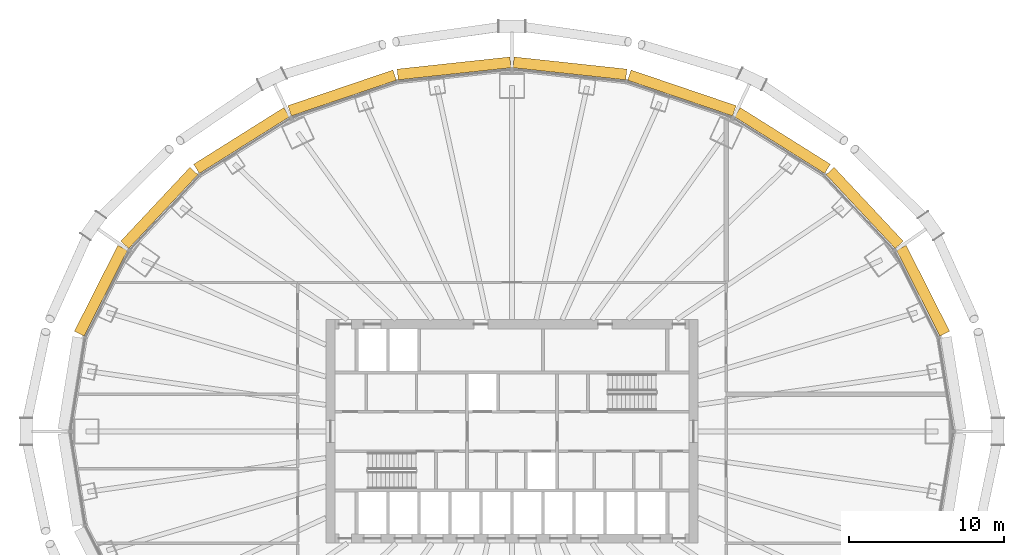
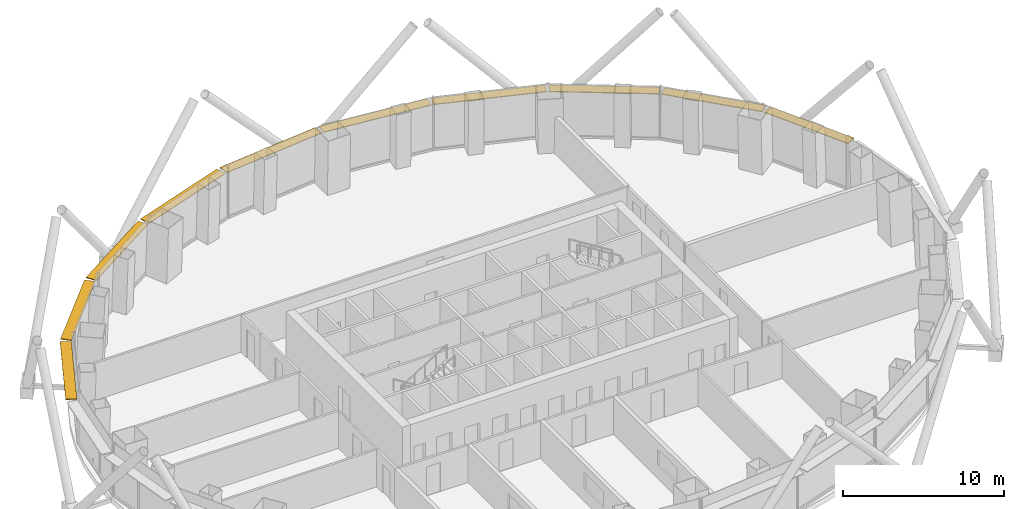
# One storey, part 16 of 16: 10 shading devices.
"""IFC4 building model written with IfcOpenShell, lengths in metres."""

from ifc_helpers import new_model, si_unit, direction, frame, origin, origin_2d, place, context, subcontext, project, spatial, rectangle, extrude, material, layer, layer_set, type_object, element, save


model = new_model("IFC4")

# Units and contexts
model_context = context("Model", 3, precision=1e-05, world=origin(), true_north=direction((0.0, 1.0)))
body_context = subcontext(model_context, "Body", "Model", "MODEL_VIEW")
ifc_project = project(units=[si_unit("LENGTHUNIT", "METRE"), si_unit("AREAUNIT", "SQUARE_METRE"), si_unit("VOLUMEUNIT", "CUBIC_METRE"), si_unit("PLANEANGLEUNIT", "RADIAN"), si_unit("MASSUNIT", "GRAM", prefix="KILO")], contexts=[model_context])

# Site, building, storey
site_placement = place(None, origin())
site = spatial("IfcSite", under=ifc_project, at=site_placement, CompositionType="ELEMENT")
building_placement = place(site_placement, origin())
building = spatial("IfcBuilding", under=site, at=building_placement, Name="Siaravel Broadcast Tower", CompositionType="ELEMENT")
storey_placement = place(building_placement, frame((0.0, 0.0, 28.699951171875)))
storey = spatial("IfcBuildingStorey", under=building, at=storey_placement, Name="L05", CompositionType="ELEMENT", Elevation=28.699951171875)

# Shading devices
ifc_material = material(Name="Bronze anodised aluminium", Category="aluminium")
ifc_layer = layer(ifc_material, 0.06005859375)
ifc_layer_set = layer_set([ifc_layer], Name="Bronze anodised aluminium")
shading_device_type = type_object("IfcShadingDeviceType", Name="Brise-soleil band", PredefinedType="USERDEFINED", material=ifc_layer_set)
shading_device_1_placement = place(storey_placement, frame((26.4833984375, 9.06298828125, 3.27001953125), z_axis=(0.0, 0.0, 1.0), x_axis=(-0.451262289, 0.892391364, 0.0)))
element("IfcShadingDevice", 1, at=shading_device_1_placement, inside=storey, type_object=shading_device_type, Name="L05 brise-soleil band 02", ObjectType="SUNSHADE", PredefinedType="USERDEFINED", context=body_context, shape_type="SweptSolid", body=[
    extrude(rectangle(XDim=6.20263671875, YDim=0.699951171875, at=origin_2d()), origin(), (0.0, 0.0, 1.0), 0.06005859375),
])
shading_device_2_placement = place(storey_placement, frame((22.722900390625, 14.399169921875, 3.27001953125), z_axis=(0.0, 0.0, 1.0), x_axis=(-0.683655992, 0.729804415, 0.0)))
element("IfcShadingDevice", 2, at=shading_device_2_placement, inside=storey, type_object=shading_device_type, Name="L05 brise-soleil band 03", ObjectType="SUNSHADE", PredefinedType="USERDEFINED", context=body_context, shape_type="SweptSolid", body=[
    extrude(rectangle(XDim=6.51611328125, YDim=0.699951171875, at=origin_2d()), origin(), (0.0, 0.0, 1.0), 0.06005859375),
])
shading_device_3_placement = place(storey_placement, frame((17.42138671875, 18.742431640625, 3.27001953125), z_axis=(0.0, 0.0, 1.0), x_axis=(-0.846651365, 0.532147974, 0.0)))
element("IfcShadingDevice", 3, at=shading_device_3_placement, inside=storey, type_object=shading_device_type, Name="L05 brise-soleil band 04", ObjectType="SUNSHADE", PredefinedType="USERDEFINED", context=body_context, shape_type="SweptSolid", body=[
    extrude(rectangle(XDim=6.860107421875, YDim=0.699951171875, at=origin_2d()), origin(), (0.0, 0.0, 1.0), 0.06005859375),
])
shading_device_4_placement = place(storey_placement, frame((10.944580078125, 21.805908203125, 3.27001953125), z_axis=(0.0, 0.0, 1.0), x_axis=(-0.946977245, 0.321300635, 0.0)))
element("IfcShadingDevice", 4, at=shading_device_4_placement, inside=storey, type_object=shading_device_type, Name="L05 brise-soleil band 05", ObjectType="SUNSHADE", PredefinedType="USERDEFINED", context=body_context, shape_type="SweptSolid", body=[
    extrude(rectangle(XDim=7.145263671875, YDim=0.699951171875, at=origin_2d()), origin(), (0.0, 0.0, 1.0), 0.06005859375),
])
for number, where, z_axis, x_axis, name in (
    (5, (3.731689453125, 23.388916015625, 3.27001953125), (0.0, 0.0, 1.0), (-0.994235667, 0.107216783, 0.0), "L05 brise-soleil band 06"),
    (6, (-3.731689453125, 23.388916015625, 3.27001953125), (0.0, 0.0, 1.0), (-0.994235667, -0.107216783, 0.0), "L05 brise-soleil band 07"),
):
    element("IfcShadingDevice", number, at=place(storey_placement, frame(where, z_axis=z_axis, x_axis=x_axis)), inside=storey, type_object=shading_device_type, Name=name, ObjectType="SUNSHADE", PredefinedType="USERDEFINED", context=body_context, shape_type="SweptSolid", body=[
        extrude(rectangle(XDim=7.3046875, YDim=0.699951171875, at=origin_2d()), origin(), (0.0, 0.0, 1.0), 0.06005859375),
    ])
shading_device_5_placement = place(storey_placement, frame((-10.944580078125, 21.805908203125, 3.27001953125), z_axis=(0.0, 0.0, 1.0), x_axis=(-0.946977245, -0.321300635, 0.0)))
element("IfcShadingDevice", 7, at=shading_device_5_placement, inside=storey, type_object=shading_device_type, Name="L05 brise-soleil band 08", ObjectType="SUNSHADE", PredefinedType="USERDEFINED", context=body_context, shape_type="SweptSolid", body=[
    extrude(rectangle(XDim=7.145263671875, YDim=0.699951171875, at=origin_2d()), origin(), (0.0, 0.0, 1.0), 0.06005859375),
])
shading_device_6_placement = place(storey_placement, frame((-17.42138671875, 18.742431640625, 3.27001953125), z_axis=(0.0, 0.0, 1.0), x_axis=(-0.846651365, -0.532147974, 0.0)))
element("IfcShadingDevice", 8, at=shading_device_6_placement, inside=storey, type_object=shading_device_type, Name="L05 brise-soleil band 09", ObjectType="SUNSHADE", PredefinedType="USERDEFINED", context=body_context, shape_type="SweptSolid", body=[
    extrude(rectangle(XDim=6.860107421875, YDim=0.699951171875, at=origin_2d()), origin(), (0.0, 0.0, 1.0), 0.06005859375),
])
shading_device_7_placement = place(storey_placement, frame((-22.722900390625, 14.399169921875, 3.27001953125), z_axis=(0.0, 0.0, 1.0), x_axis=(-0.683655992, -0.729804415, 0.0)))
element("IfcShadingDevice", 9, at=shading_device_7_placement, inside=storey, type_object=shading_device_type, Name="L05 brise-soleil band 10", ObjectType="SUNSHADE", PredefinedType="USERDEFINED", context=body_context, shape_type="SweptSolid", body=[
    extrude(rectangle(XDim=6.51611328125, YDim=0.699951171875, at=origin_2d()), origin(), (0.0, 0.0, 1.0), 0.06005859375),
])
shading_device_8_placement = place(storey_placement, frame((-26.4833984375, 9.06298828125, 3.27001953125), z_axis=(0.0, 0.0, 1.0), x_axis=(-0.451262289, -0.892391364, 0.0)))
element("IfcShadingDevice", 10, at=shading_device_8_placement, inside=storey, type_object=shading_device_type, Name="L05 brise-soleil band 11", ObjectType="SUNSHADE", PredefinedType="USERDEFINED", context=body_context, shape_type="SweptSolid", body=[
    extrude(rectangle(XDim=6.20263671875, YDim=0.699951171875, at=origin_2d()), origin(), (0.0, 0.0, 1.0), 0.06005859375),
])

save(model, "model.ifc")
